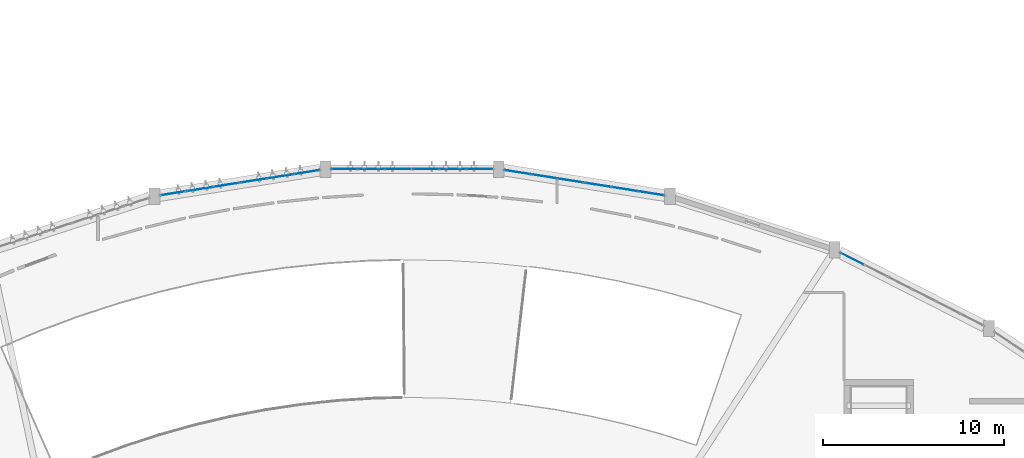
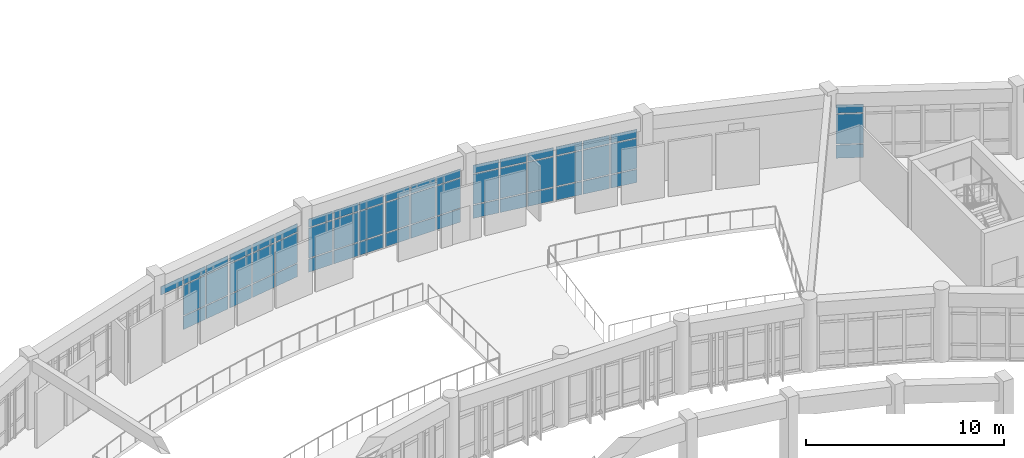
# One storey, part 38 of 57: 55 plates, 7 elements without a shape of their own.
"""IFC4 building model written with IfcOpenShell, lengths in metres."""

import ifcopenshell
import ifcopenshell.guid

model = None  # the IFC model being written
_history = None  # IfcOwnerHistory: only IFC2X3 demands one
_inside = {}  # id of a spatial element -> (the spatial element, [elements in it])
_under = {}  # id of a project, library or spatial element -> (it, [spatial elements below it])
_declared = {}  # id of a project -> (the project, [libraries it declares])
_typed = {}  # id of a type object -> (the type object, [elements of that type])
_made_of = {}  # id of a material, layer set ... -> (it, [elements and type objects made of it])


def new_model(schema):
    """Start an empty IFC model of exactly this schema.

    Asked for "IFC4X3", IfcOpenShell would pick the latest addendum, in which some entities
    have other attributes; the version numbers below select the first issue.
    IFC2X3 requires an IfcOwnerHistory on every rooted entity: one is made here for all.
    """
    global model, _history
    if schema == "IFC4X3":
        model = ifcopenshell.file(schema_version=(4, 3, 0, 0))
    else:
        model = ifcopenshell.file(schema=schema)
    _inside.clear()
    _under.clear()
    _declared.clear()
    _typed.clear()
    _made_of.clear()
    _history = None
    if model.schema == "IFC2X3":
        org = make("IfcOrganization", Name="unknown")
        user = make(
            "IfcPersonAndOrganization",
            ThePerson=make("IfcPerson", FamilyName="unknown"),
            TheOrganization=org,
        )
        app = make(
            "IfcApplication",
            ApplicationDeveloper=org,
            Version="unknown",
            ApplicationFullName="unknown",
            ApplicationIdentifier="unknown",
        )
        _history = make(
            "IfcOwnerHistory",
            OwningUser=user,
            OwningApplication=app,
            ChangeAction="ADDED",
            CreationDate=0,
        )
    return model


def make(cls, **values):
    """One entity of the class cls with the attributes given. An attribute that is None is left unset."""
    return model.create_entity(
        cls, **{name: value for name, value in values.items() if value is not None}
    )


def rooted(cls, **values):
    """An entity with a GlobalId (a new one), such as an element, a storey or a relation."""
    return make(cls, GlobalId=ifcopenshell.guid.new(), OwnerHistory=_history, **values)


def si_unit(unit_type, name, prefix=None):
    """IfcSIUnit, for example si_unit("LENGTHUNIT", "METRE", prefix="MILLI")."""
    return make("IfcSIUnit", UnitType=unit_type, Prefix=prefix, Name=name)


def assignment(units):
    """IfcUnitAssignment: the units of a project."""
    return None if units is None else make("IfcUnitAssignment", Units=units)


def point(xyz):
    """IfcCartesianPoint."""
    return None if xyz is None else make("IfcCartesianPoint", Coordinates=xyz)


def direction(xyz):
    """IfcDirection."""
    return None if xyz is None else make("IfcDirection", DirectionRatios=xyz)


def frame(location, z_axis=None, x_axis=None):
    """IfcAxis2Placement3D, a coordinate frame: its origin and axes. An axis left out is left unset."""
    return make(
        "IfcAxis2Placement3D",
        Location=point(location),
        Axis=direction(z_axis),
        RefDirection=direction(x_axis),
    )


def frame_2d(location, x_axis=None):
    """IfcAxis2Placement2D, a coordinate frame in the plane: its origin and x axis."""
    return make(
        "IfcAxis2Placement2D", Location=point(location), RefDirection=direction(x_axis)
    )


def origin():
    """The frame at (0, 0, 0) with its axes left unset."""
    return frame((0.0, 0.0, 0.0))


def origin_2d():
    """The frame at (0, 0) in the plane with its x axis left unset."""
    return frame_2d((0.0, 0.0))


def place(relative_to, where):
    """IfcLocalPlacement: puts the frame where relative to a parent placement (None: the world)."""
    return make(
        "IfcLocalPlacement", PlacementRelTo=relative_to, RelativePlacement=where
    )


def context(
    kind, dimensions, precision=None, world=None, true_north=None, identifier=None
):
    """IfcGeometricRepresentationContext, for example the 3D "Model" context."""
    return make(
        "IfcGeometricRepresentationContext",
        ContextIdentifier=identifier,
        ContextType=kind,
        CoordinateSpaceDimension=dimensions,
        Precision=precision,
        WorldCoordinateSystem=world,
        TrueNorth=true_north,
    )


def subcontext(parent, identifier, kind, view, scale=None):
    """IfcGeometricRepresentationSubContext, for example "Body" below "Model"."""
    return make(
        "IfcGeometricRepresentationSubContext",
        ContextIdentifier=identifier,
        ContextType=kind,
        ParentContext=parent,
        TargetScale=scale,
        TargetView=view,
    )


def project(units=None, contexts=None):
    """IfcProject with its units and contexts."""
    return rooted(
        "IfcProject",
        Name="project",
        RepresentationContexts=contexts,
        UnitsInContext=assignment(units),
    )


def spatial(cls, under=None, at=None, **own):
    """A site, building, storey or space (cls), placed at a placement, below another one or the project."""
    s = rooted(cls, ObjectPlacement=at, **own)
    if under is not None:
        _under.setdefault(under.id(), (under, []))[1].append(s)
    return s


def profile(cls, at=None, kind="AREA", **sizes):
    """A parametric profile (cls). Its sizes go by their IFC names, for example OverallWidth=200.0."""
    return make(cls, ProfileType=kind, Position=at, **sizes)


def rectangle(**sizes):
    """IfcRectangleProfileDef."""
    return profile("IfcRectangleProfileDef", **sizes)


def extrude(swept, where, along, depth):
    """IfcExtrudedAreaSolid: the profile swept, set in the frame where, extruded along a direction by depth."""
    return make(
        "IfcExtrudedAreaSolid",
        SweptArea=swept,
        Position=where,
        ExtrudedDirection=direction(along),
        Depth=depth,
    )


def shape(context_of_items, identifier, shape_type, items):
    """IfcShapeRepresentation: the items that make up one representation, for example the "Body"."""
    return make(
        "IfcShapeRepresentation",
        ContextOfItems=context_of_items,
        RepresentationIdentifier=identifier,
        RepresentationType=shape_type,
        Items=items,
    )


def material(Name=None, Category=None):
    """IfcMaterial."""
    return make("IfcMaterial", Name=Name, Category=Category)


def layer(
    of_material, thickness, ventilated=None, Name=None, Category=None, Priority=None
):
    """IfcMaterialLayer: one layer of a wall or slab, of a material (None: an air gap)."""
    return make(
        "IfcMaterialLayer",
        Material=of_material,
        LayerThickness=thickness,
        IsVentilated=ventilated,
        Name=Name,
        Category=Category,
        Priority=Priority,
    )


def layer_set(layers, Name=None):
    """IfcMaterialLayerSet."""
    return make("IfcMaterialLayerSet", MaterialLayers=layers, LayerSetName=Name)


def made_of(thing, what):
    """Note that an element or type object is made of a material, layer set ...; save() writes the relation."""
    if what is not None:
        _made_of.setdefault(what.id(), (what, []))[1].append(thing)
    return thing


def type_object(cls, material=None, **own):
    """A type object (cls), such as IfcWallType, which elements share."""
    return made_of(rooted(cls, **own), material)


def element(
    cls,
    number,
    at=None,
    inside=None,
    cuts=None,
    type_object=None,
    material=None,
    context=None,
    identifier="Body",
    shape_type=None,
    held_by="IfcProductDefinitionShape",
    body=None,
    shapes=None,
    **own,
):
    """One element of the class cls, such as IfcWall. Its Tag is "e" and its number.

    at: its placement. inside: the storey or other place that contains it. cuts: it is an
    opening in that element (IfcRelVoidsElement). A single representation is given by context,
    identifier, shape_type and body (its items); several are given by shapes. held_by: the class
    of the entity that holds the representations. save() writes the other relations.
    """
    e = rooted(cls, Tag="e%d" % number, ObjectPlacement=at, **own)
    if body is not None:
        shapes = [shape(context, identifier, shape_type, body)]
    if shapes is not None:
        e.Representation = make(held_by, Representations=shapes)
    if inside is not None:
        _inside.setdefault(inside.id(), (inside, []))[1].append(e)
    if cuts is not None:
        rooted(
            "IfcRelVoidsElement", RelatingBuildingElement=cuts, RelatedOpeningElement=e
        )
    if type_object is not None:
        _typed.setdefault(type_object.id(), (type_object, []))[1].append(e)
    return made_of(e, material)


def aggregate(whole, parts):
    """IfcRelAggregates: a whole, such as a stair, and the parts it consists of."""
    return rooted("IfcRelAggregates", RelatingObject=whole, RelatedObjects=parts)


def save(model, path):
    """Write the relations noted so far, then the file.

    IfcRelAggregates (storeys below a building ...), IfcRelContainedInSpatialStructure (elements
    in a storey), IfcRelDefinesByType, IfcRelAssociatesMaterial and IfcRelDeclares: one each for
    every whole, place, type object, material and project.
    """
    for whole, parts in _under.values():
        aggregate(whole, parts)
    for where, things in _inside.values():
        rooted(
            "IfcRelContainedInSpatialStructure",
            RelatedElements=things,
            RelatingStructure=where,
        )
    for kind, things in _typed.values():
        rooted("IfcRelDefinesByType", RelatedObjects=things, RelatingType=kind)
    for what, things in _made_of.values():
        rooted("IfcRelAssociatesMaterial", RelatedObjects=things, RelatingMaterial=what)
    for by, libraries in _declared.values():
        rooted("IfcRelDeclares", RelatingContext=by, RelatedDefinitions=libraries)
    model.write(path)


model = new_model("IFC4")

# Units and contexts
model_context = context("Model", 3, precision=1e-05, world=origin(), true_north=direction((0.0, 1.0)))
body_context = subcontext(model_context, "Body", "Model", "MODEL_VIEW")
ifc_project = project(units=[si_unit("LENGTHUNIT", "METRE"), si_unit("AREAUNIT", "SQUARE_METRE"), si_unit("VOLUMEUNIT", "CUBIC_METRE"), si_unit("PLANEANGLEUNIT", "RADIAN"), si_unit("MASSUNIT", "GRAM", prefix="KILO")], contexts=[model_context])

# Site, building, storey
site_placement = place(None, origin())
site = spatial("IfcSite", under=ifc_project, at=site_placement, CompositionType="ELEMENT")
building_placement = place(site_placement, origin())
building = spatial("IfcBuilding", under=site, at=building_placement, Name="Miralva Faculty of Natural Sciences", CompositionType="ELEMENT")
storey_placement = place(building_placement, frame((0.0, 0.0, 15.0)))
storey = spatial("IfcBuildingStorey", under=building, at=storey_placement, Name="L03", CompositionType="ELEMENT", Elevation=15.0)

# Curtain wall, plates
ifc_material = material(Name="Laminated solar-control glass", Category="glass")
ifc_layer_1 = layer(ifc_material, 0.179931640625, Name="CW-ARC-L03")
ifc_layer_set_1 = layer_set([ifc_layer_1], Name="Laminated solar-control glass")
curtain_wall_type = type_object("IfcCurtainWallType", Name="CW-ARC-L03", PredefinedType="USERDEFINED", material=ifc_layer_set_1)
curtain_wall_1_placement = place(storey_placement, origin())
curtain_wall_1 = element("IfcCurtainWall", 1, at=curtain_wall_1_placement, inside=storey, type_object=curtain_wall_type, Name="Curtain wall CW-03 L03-131", ObjectType="UNITISED CURTAIN WALL", PredefinedType="USERDEFINED")
ifc_layer_2 = layer(ifc_material, 0.028076171875, Name="PNL-P01")
ifc_layer_set_2 = layer_set([ifc_layer_2], Name="Laminated solar-control glass")
plate_type = type_object("IfcPlateType", Name="PNL-P01", PredefinedType="CURTAIN_PANEL", material=ifc_layer_set_2)
plate_1_placement = place(storey_placement, frame((76.79833984375, 38.47900390625, 2.8349609375), z_axis=(0.0, 0.0, 1.0), x_axis=(0.987688816642, 0.156431459367, 0.0)))
plate_1 = element("IfcPlate", 2, at=plate_1_placement, type_object=plate_type, Name="CW-03 panel 1.3", PredefinedType="CURTAIN_PANEL", context=body_context, shape_type="SweptSolid", body=[
    extrude(rectangle(XDim=1.40283203125, YDim=0.028076171875, at=origin_2d()), origin(), (0.0, 0.0, 1.0), 0.510009765625),
])
plate_2_placement = place(storey_placement, frame((78.26416015625, 38.711181640625, 0.06005859375), z_axis=(0.0, 0.0, 1.0), x_axis=(0.987688816642, 0.156431459367, 0.0)))
plate_2 = element("IfcPlate", 3, at=plate_2_placement, type_object=plate_type, Name="CW-03 panel 2.1", PredefinedType="CURTAIN_PANEL", context=body_context, shape_type="SweptSolid", body=[
    extrude(rectangle(XDim=1.435302734375, YDim=0.028076171875, at=origin_2d()), origin(), (0.0, 0.0, 1.0), 0.81005859375),
])
plate_3_placement = place(storey_placement, frame((78.26416015625, 38.711181640625, 0.93017578125), z_axis=(0.0, 0.0, 1.0), x_axis=(0.987688816642, 0.156431459367, 0.0)))
plate_3 = element("IfcPlate", 4, at=plate_3_placement, type_object=plate_type, Name="CW-03 panel 2.2", PredefinedType="CURTAIN_PANEL", context=body_context, shape_type="SweptSolid", body=[
    extrude(rectangle(XDim=1.435302734375, YDim=0.028076171875, at=origin_2d()), origin(), (0.0, 0.0, 1.0), 1.844970703125),
])
plate_4_placement = place(storey_placement, frame((78.26416015625, 38.711181640625, 2.8349609375), z_axis=(0.0, 0.0, 1.0), x_axis=(0.987688816642, 0.156431459367, 0.0)))
plate_4 = element("IfcPlate", 5, at=plate_4_placement, type_object=plate_type, Name="CW-03 panel 2.3", PredefinedType="CURTAIN_PANEL", context=body_context, shape_type="SweptSolid", body=[
    extrude(rectangle(XDim=1.435302734375, YDim=0.028076171875, at=origin_2d()), origin(), (0.0, 0.0, 1.0), 0.510009765625),
])
plate_5_placement = place(storey_placement, frame((79.72998046875, 38.943359375, 0.06005859375), z_axis=(0.0, 0.0, 1.0), x_axis=(0.987688816642, 0.156431459367, 0.0)))
plate_5 = element("IfcPlate", 6, at=plate_5_placement, type_object=plate_type, Name="CW-03 panel 3.1", PredefinedType="CURTAIN_PANEL", context=body_context, shape_type="SweptSolid", body=[
    extrude(rectangle(XDim=1.40283203125, YDim=0.028076171875, at=origin_2d()), origin(), (0.0, 0.0, 1.0), 0.81005859375),
])
plate_6_placement = place(storey_placement, frame((79.72998046875, 38.943359375, 0.93017578125), z_axis=(0.0, 0.0, 1.0), x_axis=(0.987688816642, 0.156431459367, 0.0)))
plate_6 = element("IfcPlate", 7, at=plate_6_placement, type_object=plate_type, Name="CW-03 panel 3.2", PredefinedType="CURTAIN_PANEL", context=body_context, shape_type="SweptSolid", body=[
    extrude(rectangle(XDim=1.40283203125, YDim=0.028076171875, at=origin_2d()), origin(), (0.0, 0.0, 1.0), 1.844970703125),
])
plate_7_placement = place(storey_placement, frame((79.72998046875, 38.943359375, 2.8349609375), z_axis=(0.0, 0.0, 1.0), x_axis=(0.987688816642, 0.156431459367, 0.0)))
plate_7 = element("IfcPlate", 8, at=plate_7_placement, type_object=plate_type, Name="CW-03 panel 3.3", PredefinedType="CURTAIN_PANEL", context=body_context, shape_type="SweptSolid", body=[
    extrude(rectangle(XDim=1.40283203125, YDim=0.028076171875, at=origin_2d()), origin(), (0.0, 0.0, 1.0), 0.510009765625),
])
aggregate(curtain_wall_1, [plate_1, plate_2, plate_3, plate_4, plate_5, plate_6, plate_7])

curtain_wall_2_placement = place(storey_placement, origin())
curtain_wall_2 = element("IfcCurtainWall", 9, at=curtain_wall_2_placement, inside=storey, type_object=curtain_wall_type, Name="Curtain wall CW-03 L03-132", ObjectType="UNITISED CURTAIN WALL", PredefinedType="USERDEFINED")
plate_8_placement = place(storey_placement, frame((81.23974609375, 39.1826171875, 0.06005859375), z_axis=(0.0, 0.0, 1.0), x_axis=(0.987691424827, 0.156414990722, 0.0)))
plate_8 = element("IfcPlate", 10, at=plate_8_placement, type_object=plate_type, Name="CW-03 panel 1.1", PredefinedType="CURTAIN_PANEL", context=body_context, shape_type="SweptSolid", body=[
    extrude(rectangle(XDim=1.404541015625, YDim=0.028076171875, at=origin_2d()), origin(), (0.0, 0.0, 1.0), 0.81005859375),
])
plate_9_placement = place(storey_placement, frame((81.23974609375, 39.1826171875, 0.93017578125), z_axis=(0.0, 0.0, 1.0), x_axis=(0.987691424827, 0.156414990722, 0.0)))
plate_9 = element("IfcPlate", 11, at=plate_9_placement, type_object=plate_type, Name="CW-03 panel 1.2", PredefinedType="CURTAIN_PANEL", context=body_context, shape_type="SweptSolid", body=[
    extrude(rectangle(XDim=1.404541015625, YDim=0.028076171875, at=origin_2d()), origin(), (0.0, 0.0, 1.0), 1.844970703125),
])
plate_10_placement = place(storey_placement, frame((81.23974609375, 39.1826171875, 2.8349609375), z_axis=(0.0, 0.0, 1.0), x_axis=(0.987691424827, 0.156414990722, 0.0)))
plate_10 = element("IfcPlate", 12, at=plate_10_placement, type_object=plate_type, Name="CW-03 panel 1.3", PredefinedType="CURTAIN_PANEL", context=body_context, shape_type="SweptSolid", body=[
    extrude(rectangle(XDim=1.404541015625, YDim=0.028076171875, at=origin_2d()), origin(), (0.0, 0.0, 1.0), 0.510009765625),
])
plate_11_placement = place(storey_placement, frame((82.707275390625, 39.414794921875, 0.06005859375), z_axis=(0.0, 0.0, 1.0), x_axis=(0.987691424827, 0.156414990722, 0.0)))
plate_11 = element("IfcPlate", 13, at=plate_11_placement, type_object=plate_type, Name="CW-03 panel 2.1", PredefinedType="CURTAIN_PANEL", context=body_context, shape_type="SweptSolid", body=[
    extrude(rectangle(XDim=1.43701171875, YDim=0.028076171875, at=origin_2d()), origin(), (0.0, 0.0, 1.0), 0.81005859375),
])
plate_12_placement = place(storey_placement, frame((82.707275390625, 39.414794921875, 0.93017578125), z_axis=(0.0, 0.0, 1.0), x_axis=(0.987691424827, 0.156414990722, 0.0)))
plate_12 = element("IfcPlate", 14, at=plate_12_placement, type_object=plate_type, Name="CW-03 panel 2.2", PredefinedType="CURTAIN_PANEL", context=body_context, shape_type="SweptSolid", body=[
    extrude(rectangle(XDim=1.43701171875, YDim=0.028076171875, at=origin_2d()), origin(), (0.0, 0.0, 1.0), 1.844970703125),
])
plate_13_placement = place(storey_placement, frame((82.707275390625, 39.414794921875, 2.8349609375), z_axis=(0.0, 0.0, 1.0), x_axis=(0.987691424827, 0.156414990722, 0.0)))
plate_13 = element("IfcPlate", 15, at=plate_13_placement, type_object=plate_type, Name="CW-03 panel 2.3", PredefinedType="CURTAIN_PANEL", context=body_context, shape_type="SweptSolid", body=[
    extrude(rectangle(XDim=1.43701171875, YDim=0.028076171875, at=origin_2d()), origin(), (0.0, 0.0, 1.0), 0.510009765625),
])
plate_14_placement = place(storey_placement, frame((84.1748046875, 39.647216796875, 0.06005859375), z_axis=(0.0, 0.0, 1.0), x_axis=(0.987691424827, 0.156414990722, 0.0)))
plate_14 = element("IfcPlate", 16, at=plate_14_placement, type_object=plate_type, Name="CW-03 panel 3.1", PredefinedType="CURTAIN_PANEL", context=body_context, shape_type="SweptSolid", body=[
    extrude(rectangle(XDim=1.404541015625, YDim=0.028076171875, at=origin_2d()), origin(), (0.0, 0.0, 1.0), 0.81005859375),
])
plate_15_placement = place(storey_placement, frame((84.1748046875, 39.647216796875, 0.93017578125), z_axis=(0.0, 0.0, 1.0), x_axis=(0.987691424827, 0.156414990722, 0.0)))
plate_15 = element("IfcPlate", 17, at=plate_15_placement, type_object=plate_type, Name="CW-03 panel 3.2", PredefinedType="CURTAIN_PANEL", context=body_context, shape_type="SweptSolid", body=[
    extrude(rectangle(XDim=1.404541015625, YDim=0.028076171875, at=origin_2d()), origin(), (0.0, 0.0, 1.0), 1.844970703125),
])
plate_16_placement = place(storey_placement, frame((84.1748046875, 39.647216796875, 2.8349609375), z_axis=(0.0, 0.0, 1.0), x_axis=(0.987691424827, 0.156414990722, 0.0)))
plate_16 = element("IfcPlate", 18, at=plate_16_placement, type_object=plate_type, Name="CW-03 panel 3.3", PredefinedType="CURTAIN_PANEL", context=body_context, shape_type="SweptSolid", body=[
    extrude(rectangle(XDim=1.404541015625, YDim=0.028076171875, at=origin_2d()), origin(), (0.0, 0.0, 1.0), 0.510009765625),
])
aggregate(curtain_wall_2, [plate_8, plate_9, plate_10, plate_11, plate_12, plate_13, plate_14, plate_15, plate_16])

curtain_wall_3_placement = place(storey_placement, origin())
curtain_wall_3 = element("IfcCurtainWall", 19, at=curtain_wall_3_placement, inside=storey, type_object=curtain_wall_type, Name="Curtain wall CW-03 L03-133", ObjectType="UNITISED CURTAIN WALL", PredefinedType="USERDEFINED")
plate_17_placement = place(storey_placement, frame((86.265380859375, 39.81201171875, 0.06005859375), z_axis=(0.0, 0.0, 1.0), x_axis=(1.0, 0.0, 0.0)))
plate_17 = element("IfcPlate", 20, at=plate_17_placement, type_object=plate_type, Name="CW-03 panel 1.1", PredefinedType="CURTAIN_PANEL", context=body_context, shape_type="SweptSolid", body=[
    extrude(rectangle(XDim=1.40283203125, YDim=0.028076171875, at=origin_2d()), origin(), (0.0, 0.0, 1.0), 0.81005859375),
])
plate_18_placement = place(storey_placement, frame((86.265380859375, 39.81201171875, 0.929931640625), z_axis=(0.0, 0.0, 1.0), x_axis=(1.0, 0.0, 0.0)))
plate_18 = element("IfcPlate", 21, at=plate_18_placement, type_object=plate_type, Name="CW-03 panel 1.2", PredefinedType="CURTAIN_PANEL", context=body_context, shape_type="SweptSolid", body=[
    extrude(rectangle(XDim=1.40283203125, YDim=0.028076171875, at=origin_2d()), origin(), (0.0, 0.0, 1.0), 1.8349609375),
])
plate_19_placement = place(storey_placement, frame((86.265380859375, 39.81201171875, 2.8251953125), z_axis=(0.0, 0.0, 1.0), x_axis=(1.0, 0.0, 0.0)))
plate_19 = element("IfcPlate", 22, at=plate_19_placement, type_object=plate_type, Name="CW-03 panel 1.3", PredefinedType="CURTAIN_PANEL", context=body_context, shape_type="SweptSolid", body=[
    extrude(rectangle(XDim=1.40283203125, YDim=0.028076171875, at=origin_2d()), origin(), (0.0, 0.0, 1.0), 0.510009765625),
])
plate_20_placement = place(storey_placement, frame((87.74951171875, 39.81201171875, 0.06005859375), z_axis=(0.0, 0.0, 1.0), x_axis=(1.0, 0.0, 0.0)))
plate_20 = element("IfcPlate", 23, at=plate_20_placement, type_object=plate_type, Name="CW-03 panel 2.1", PredefinedType="CURTAIN_PANEL", context=body_context, shape_type="SweptSolid", body=[
    extrude(rectangle(XDim=1.435302734375, YDim=0.028076171875, at=origin_2d()), origin(), (0.0, 0.0, 1.0), 0.81005859375),
])
plate_21_placement = place(storey_placement, frame((87.74951171875, 39.81201171875, 0.929931640625), z_axis=(0.0, 0.0, 1.0), x_axis=(1.0, 0.0, 0.0)))
plate_21 = element("IfcPlate", 24, at=plate_21_placement, type_object=plate_type, Name="CW-03 panel 2.2", PredefinedType="CURTAIN_PANEL", context=body_context, shape_type="SweptSolid", body=[
    extrude(rectangle(XDim=1.435302734375, YDim=0.028076171875, at=origin_2d()), origin(), (0.0, 0.0, 1.0), 1.8349609375),
])
plate_22_placement = place(storey_placement, frame((87.74951171875, 39.81201171875, 2.8251953125), z_axis=(0.0, 0.0, 1.0), x_axis=(1.0, 0.0, 0.0)))
plate_22 = element("IfcPlate", 25, at=plate_22_placement, type_object=plate_type, Name="CW-03 panel 2.3", PredefinedType="CURTAIN_PANEL", context=body_context, shape_type="SweptSolid", body=[
    extrude(rectangle(XDim=1.435302734375, YDim=0.028076171875, at=origin_2d()), origin(), (0.0, 0.0, 1.0), 0.510009765625),
])
plate_23_placement = place(storey_placement, frame((89.233642578125, 39.81201171875, 0.06005859375), z_axis=(0.0, 0.0, 1.0), x_axis=(1.0, 0.0, 0.0)))
plate_23 = element("IfcPlate", 26, at=plate_23_placement, type_object=plate_type, Name="CW-03 panel 3.1", PredefinedType="CURTAIN_PANEL", context=body_context, shape_type="SweptSolid", body=[
    extrude(rectangle(XDim=1.40283203125, YDim=0.028076171875, at=origin_2d()), origin(), (0.0, 0.0, 1.0), 0.81005859375),
])
plate_24_placement = place(storey_placement, frame((89.233642578125, 39.81201171875, 0.929931640625), z_axis=(0.0, 0.0, 1.0), x_axis=(1.0, 0.0, 0.0)))
plate_24 = element("IfcPlate", 27, at=plate_24_placement, type_object=plate_type, Name="CW-03 panel 3.2", PredefinedType="CURTAIN_PANEL", context=body_context, shape_type="SweptSolid", body=[
    extrude(rectangle(XDim=1.40283203125, YDim=0.028076171875, at=origin_2d()), origin(), (0.0, 0.0, 1.0), 1.8349609375),
])
plate_25_placement = place(storey_placement, frame((89.233642578125, 39.81201171875, 2.8251953125), z_axis=(0.0, 0.0, 1.0), x_axis=(1.0, 0.0, 0.0)))
plate_25 = element("IfcPlate", 28, at=plate_25_placement, type_object=plate_type, Name="CW-03 panel 3.3", PredefinedType="CURTAIN_PANEL", context=body_context, shape_type="SweptSolid", body=[
    extrude(rectangle(XDim=1.40283203125, YDim=0.028076171875, at=origin_2d()), origin(), (0.0, 0.0, 1.0), 0.510009765625),
])
aggregate(curtain_wall_3, [plate_17, plate_18, plate_19, plate_20, plate_21, plate_22, plate_23, plate_24, plate_25])

curtain_wall_4_placement = place(storey_placement, origin())
curtain_wall_4 = element("IfcCurtainWall", 29, at=curtain_wall_4_placement, inside=storey, type_object=curtain_wall_type, Name="Curtain wall CW-03 L03-134", ObjectType="UNITISED CURTAIN WALL", PredefinedType="USERDEFINED")
plate_26_placement = place(storey_placement, frame((90.76220703125, 39.81201171875, 0.06005859375), z_axis=(0.0, 0.0, 1.0), x_axis=(1.0, 0.0, 0.0)))
plate_26 = element("IfcPlate", 30, at=plate_26_placement, type_object=plate_type, Name="CW-03 panel 1.1", PredefinedType="CURTAIN_PANEL", context=body_context, shape_type="SweptSolid", body=[
    extrude(rectangle(XDim=1.404541015625, YDim=0.028076171875, at=origin_2d()), origin(), (0.0, 0.0, 1.0), 0.81005859375),
])
plate_27_placement = place(storey_placement, frame((90.76220703125, 39.81201171875, 0.929931640625), z_axis=(0.0, 0.0, 1.0), x_axis=(1.0, 0.0, 0.0)))
plate_27 = element("IfcPlate", 31, at=plate_27_placement, type_object=plate_type, Name="CW-03 panel 1.2", PredefinedType="CURTAIN_PANEL", context=body_context, shape_type="SweptSolid", body=[
    extrude(rectangle(XDim=1.404541015625, YDim=0.028076171875, at=origin_2d()), origin(), (0.0, 0.0, 1.0), 1.8349609375),
])
plate_28_placement = place(storey_placement, frame((90.76220703125, 39.81201171875, 2.8251953125), z_axis=(0.0, 0.0, 1.0), x_axis=(1.0, 0.0, 0.0)))
plate_28 = element("IfcPlate", 32, at=plate_28_placement, type_object=plate_type, Name="CW-03 panel 1.3", PredefinedType="CURTAIN_PANEL", context=body_context, shape_type="SweptSolid", body=[
    extrude(rectangle(XDim=1.404541015625, YDim=0.028076171875, at=origin_2d()), origin(), (0.0, 0.0, 1.0), 0.510009765625),
])
plate_29_placement = place(storey_placement, frame((92.248046875, 39.81201171875, 0.06005859375), z_axis=(0.0, 0.0, 1.0), x_axis=(1.0, 0.0, 0.0)))
plate_29 = element("IfcPlate", 33, at=plate_29_placement, type_object=plate_type, Name="CW-03 panel 2.1", PredefinedType="CURTAIN_PANEL", context=body_context, shape_type="SweptSolid", body=[
    extrude(rectangle(XDim=1.43701171875, YDim=0.028076171875, at=origin_2d()), origin(), (0.0, 0.0, 1.0), 0.81005859375),
])
plate_30_placement = place(storey_placement, frame((92.248046875, 39.81201171875, 0.929931640625), z_axis=(0.0, 0.0, 1.0), x_axis=(1.0, 0.0, 0.0)))
plate_30 = element("IfcPlate", 34, at=plate_30_placement, type_object=plate_type, Name="CW-03 panel 2.2", PredefinedType="CURTAIN_PANEL", context=body_context, shape_type="SweptSolid", body=[
    extrude(rectangle(XDim=1.43701171875, YDim=0.028076171875, at=origin_2d()), origin(), (0.0, 0.0, 1.0), 1.8349609375),
])
plate_31_placement = place(storey_placement, frame((92.248046875, 39.81201171875, 2.8251953125), z_axis=(0.0, 0.0, 1.0), x_axis=(1.0, 0.0, 0.0)))
plate_31 = element("IfcPlate", 35, at=plate_31_placement, type_object=plate_type, Name="CW-03 panel 2.3", PredefinedType="CURTAIN_PANEL", context=body_context, shape_type="SweptSolid", body=[
    extrude(rectangle(XDim=1.43701171875, YDim=0.028076171875, at=origin_2d()), origin(), (0.0, 0.0, 1.0), 0.510009765625),
])
plate_32_placement = place(storey_placement, frame((93.733642578125, 39.81201171875, 0.06005859375), z_axis=(0.0, 0.0, 1.0), x_axis=(1.0, 0.0, 0.0)))
plate_32 = element("IfcPlate", 36, at=plate_32_placement, type_object=plate_type, Name="CW-03 panel 3.1", PredefinedType="CURTAIN_PANEL", context=body_context, shape_type="SweptSolid", body=[
    extrude(rectangle(XDim=1.404541015625, YDim=0.028076171875, at=origin_2d()), origin(), (0.0, 0.0, 1.0), 0.81005859375),
])
plate_33_placement = place(storey_placement, frame((93.733642578125, 39.81201171875, 0.929931640625), z_axis=(0.0, 0.0, 1.0), x_axis=(1.0, 0.0, 0.0)))
plate_33 = element("IfcPlate", 37, at=plate_33_placement, type_object=plate_type, Name="CW-03 panel 3.2", PredefinedType="CURTAIN_PANEL", context=body_context, shape_type="SweptSolid", body=[
    extrude(rectangle(XDim=1.404541015625, YDim=0.028076171875, at=origin_2d()), origin(), (0.0, 0.0, 1.0), 1.8349609375),
])
plate_34_placement = place(storey_placement, frame((93.733642578125, 39.81201171875, 2.8251953125), z_axis=(0.0, 0.0, 1.0), x_axis=(1.0, 0.0, 0.0)))
plate_34 = element("IfcPlate", 38, at=plate_34_placement, type_object=plate_type, Name="CW-03 panel 3.3", PredefinedType="CURTAIN_PANEL", context=body_context, shape_type="SweptSolid", body=[
    extrude(rectangle(XDim=1.404541015625, YDim=0.028076171875, at=origin_2d()), origin(), (0.0, 0.0, 1.0), 0.510009765625),
])
aggregate(curtain_wall_4, [plate_26, plate_27, plate_28, plate_29, plate_30, plate_31, plate_32, plate_33, plate_34])

curtain_wall_5_placement = place(storey_placement, origin())
curtain_wall_5 = element("IfcCurtainWall", 39, at=curtain_wall_5_placement, inside=storey, type_object=curtain_wall_type, Name="Curtain wall CW-03 L03-135", ObjectType="UNITISED CURTAIN WALL", PredefinedType="USERDEFINED")
plate_35_placement = place(storey_placement, frame((95.824462890625, 39.6474609375, 0.06005859375), z_axis=(0.0, 0.0, 1.0), x_axis=(0.987692249099, -0.15640978572, 0.0)))
plate_35 = element("IfcPlate", 40, at=plate_35_placement, type_object=plate_type, Name="CW-03 panel 1.1", PredefinedType="CURTAIN_PANEL", context=body_context, shape_type="SweptSolid", body=[
    extrude(rectangle(XDim=1.40283203125, YDim=0.028076171875, at=origin_2d()), origin(), (0.0, 0.0, 1.0), 0.81005859375),
])
plate_36_placement = place(storey_placement, frame((95.824462890625, 39.6474609375, 0.93017578125), z_axis=(0.0, 0.0, 1.0), x_axis=(0.987692249099, -0.15640978572, 0.0)))
plate_36 = element("IfcPlate", 41, at=plate_36_placement, type_object=plate_type, Name="CW-03 panel 1.2", PredefinedType="CURTAIN_PANEL", context=body_context, shape_type="SweptSolid", body=[
    extrude(rectangle(XDim=1.40283203125, YDim=0.028076171875, at=origin_2d()), origin(), (0.0, 0.0, 1.0), 1.844970703125),
])
plate_37_placement = place(storey_placement, frame((95.824462890625, 39.6474609375, 2.8349609375), z_axis=(0.0, 0.0, 1.0), x_axis=(0.987692249099, -0.15640978572, 0.0)))
plate_37 = element("IfcPlate", 42, at=plate_37_placement, type_object=plate_type, Name="CW-03 panel 1.3", PredefinedType="CURTAIN_PANEL", context=body_context, shape_type="SweptSolid", body=[
    extrude(rectangle(XDim=1.40283203125, YDim=0.028076171875, at=origin_2d()), origin(), (0.0, 0.0, 1.0), 0.510009765625),
])
plate_38_placement = place(storey_placement, frame((97.290283203125, 39.415283203125, 0.06005859375), z_axis=(0.0, 0.0, 1.0), x_axis=(0.987692249099, -0.15640978572, 0.0)))
plate_38 = element("IfcPlate", 43, at=plate_38_placement, type_object=plate_type, Name="CW-03 panel 2.1", PredefinedType="CURTAIN_PANEL", context=body_context, shape_type="SweptSolid", body=[
    extrude(rectangle(XDim=1.435302734375, YDim=0.028076171875, at=origin_2d()), origin(), (0.0, 0.0, 1.0), 0.81005859375),
])
plate_39_placement = place(storey_placement, frame((97.290283203125, 39.415283203125, 0.93017578125), z_axis=(0.0, 0.0, 1.0), x_axis=(0.987692249099, -0.15640978572, 0.0)))
plate_39 = element("IfcPlate", 44, at=plate_39_placement, type_object=plate_type, Name="CW-03 panel 2.2", PredefinedType="CURTAIN_PANEL", context=body_context, shape_type="SweptSolid", body=[
    extrude(rectangle(XDim=1.435302734375, YDim=0.028076171875, at=origin_2d()), origin(), (0.0, 0.0, 1.0), 1.844970703125),
])
plate_40_placement = place(storey_placement, frame((97.290283203125, 39.415283203125, 2.8349609375), z_axis=(0.0, 0.0, 1.0), x_axis=(0.987692249099, -0.15640978572, 0.0)))
plate_40 = element("IfcPlate", 45, at=plate_40_placement, type_object=plate_type, Name="CW-03 panel 2.3", PredefinedType="CURTAIN_PANEL", context=body_context, shape_type="SweptSolid", body=[
    extrude(rectangle(XDim=1.435302734375, YDim=0.028076171875, at=origin_2d()), origin(), (0.0, 0.0, 1.0), 0.510009765625),
])
plate_41_placement = place(storey_placement, frame((98.756103515625, 39.18310546875, 0.06005859375), z_axis=(0.0, 0.0, 1.0), x_axis=(0.987692249099, -0.15640978572, 0.0)))
plate_41 = element("IfcPlate", 46, at=plate_41_placement, type_object=plate_type, Name="CW-03 panel 3.1", PredefinedType="CURTAIN_PANEL", context=body_context, shape_type="SweptSolid", body=[
    extrude(rectangle(XDim=1.40283203125, YDim=0.028076171875, at=origin_2d()), origin(), (0.0, 0.0, 1.0), 0.81005859375),
])
plate_42_placement = place(storey_placement, frame((98.756103515625, 39.18310546875, 0.93017578125), z_axis=(0.0, 0.0, 1.0), x_axis=(0.987692249099, -0.15640978572, 0.0)))
plate_42 = element("IfcPlate", 47, at=plate_42_placement, type_object=plate_type, Name="CW-03 panel 3.2", PredefinedType="CURTAIN_PANEL", context=body_context, shape_type="SweptSolid", body=[
    extrude(rectangle(XDim=1.40283203125, YDim=0.028076171875, at=origin_2d()), origin(), (0.0, 0.0, 1.0), 1.844970703125),
])
plate_43_placement = place(storey_placement, frame((98.756103515625, 39.18310546875, 2.8349609375), z_axis=(0.0, 0.0, 1.0), x_axis=(0.987692249099, -0.15640978572, 0.0)))
plate_43 = element("IfcPlate", 48, at=plate_43_placement, type_object=plate_type, Name="CW-03 panel 3.3", PredefinedType="CURTAIN_PANEL", context=body_context, shape_type="SweptSolid", body=[
    extrude(rectangle(XDim=1.40283203125, YDim=0.028076171875, at=origin_2d()), origin(), (0.0, 0.0, 1.0), 0.510009765625),
])
aggregate(curtain_wall_5, [plate_35, plate_36, plate_37, plate_38, plate_39, plate_40, plate_41, plate_42, plate_43])

curtain_wall_6_placement = place(storey_placement, origin())
curtain_wall_6 = element("IfcCurtainWall", 49, at=curtain_wall_6_placement, inside=storey, type_object=curtain_wall_type, Name="Curtain wall CW-03 L03-136", ObjectType="UNITISED CURTAIN WALL", PredefinedType="USERDEFINED")
plate_44_placement = place(storey_placement, frame((100.26611328125, 38.944091796875, 0.06005859375), z_axis=(0.0, 0.0, 1.0), x_axis=(0.987687996038, -0.156436640476, 0.0)))
plate_44 = element("IfcPlate", 50, at=plate_44_placement, type_object=plate_type, Name="CW-03 panel 1.1", PredefinedType="CURTAIN_PANEL", context=body_context, shape_type="SweptSolid", body=[
    extrude(rectangle(XDim=1.404541015625, YDim=0.028076171875, at=origin_2d()), origin(), (0.0, 0.0, 1.0), 0.81005859375),
])
plate_45_placement = place(storey_placement, frame((100.26611328125, 38.944091796875, 0.93017578125), z_axis=(0.0, 0.0, 1.0), x_axis=(0.987687996038, -0.156436640476, 0.0)))
plate_45 = element("IfcPlate", 51, at=plate_45_placement, type_object=plate_type, Name="CW-03 panel 1.2", PredefinedType="CURTAIN_PANEL", context=body_context, shape_type="SweptSolid", body=[
    extrude(rectangle(XDim=1.404541015625, YDim=0.028076171875, at=origin_2d()), origin(), (0.0, 0.0, 1.0), 1.844970703125),
])
plate_46_placement = place(storey_placement, frame((100.26611328125, 38.944091796875, 2.8349609375), z_axis=(0.0, 0.0, 1.0), x_axis=(0.987687996038, -0.156436640476, 0.0)))
plate_46 = element("IfcPlate", 52, at=plate_46_placement, type_object=plate_type, Name="CW-03 panel 1.3", PredefinedType="CURTAIN_PANEL", context=body_context, shape_type="SweptSolid", body=[
    extrude(rectangle(XDim=1.404541015625, YDim=0.028076171875, at=origin_2d()), origin(), (0.0, 0.0, 1.0), 0.510009765625),
])
plate_47_placement = place(storey_placement, frame((101.7333984375, 38.711669921875, 0.06005859375), z_axis=(0.0, 0.0, 1.0), x_axis=(0.987687996038, -0.156436640476, 0.0)))
plate_47 = element("IfcPlate", 53, at=plate_47_placement, type_object=plate_type, Name="CW-03 panel 2.1", PredefinedType="CURTAIN_PANEL", context=body_context, shape_type="SweptSolid", body=[
    extrude(rectangle(XDim=1.43701171875, YDim=0.028076171875, at=origin_2d()), origin(), (0.0, 0.0, 1.0), 0.81005859375),
])
plate_48_placement = place(storey_placement, frame((101.7333984375, 38.711669921875, 0.93017578125), z_axis=(0.0, 0.0, 1.0), x_axis=(0.987687996038, -0.156436640476, 0.0)))
plate_48 = element("IfcPlate", 54, at=plate_48_placement, type_object=plate_type, Name="CW-03 panel 2.2", PredefinedType="CURTAIN_PANEL", context=body_context, shape_type="SweptSolid", body=[
    extrude(rectangle(XDim=1.43701171875, YDim=0.028076171875, at=origin_2d()), origin(), (0.0, 0.0, 1.0), 1.844970703125),
])
plate_49_placement = place(storey_placement, frame((101.7333984375, 38.711669921875, 2.8349609375), z_axis=(0.0, 0.0, 1.0), x_axis=(0.987687996038, -0.156436640476, 0.0)))
plate_49 = element("IfcPlate", 55, at=plate_49_placement, type_object=plate_type, Name="CW-03 panel 2.3", PredefinedType="CURTAIN_PANEL", context=body_context, shape_type="SweptSolid", body=[
    extrude(rectangle(XDim=1.43701171875, YDim=0.028076171875, at=origin_2d()), origin(), (0.0, 0.0, 1.0), 0.510009765625),
])
plate_50_placement = place(storey_placement, frame((103.200927734375, 38.479248046875, 0.06005859375), z_axis=(0.0, 0.0, 1.0), x_axis=(0.987687996038, -0.156436640476, 0.0)))
plate_50 = element("IfcPlate", 56, at=plate_50_placement, type_object=plate_type, Name="CW-03 panel 3.1", PredefinedType="CURTAIN_PANEL", context=body_context, shape_type="SweptSolid", body=[
    extrude(rectangle(XDim=1.404541015625, YDim=0.028076171875, at=origin_2d()), origin(), (0.0, 0.0, 1.0), 0.81005859375),
])
plate_51_placement = place(storey_placement, frame((103.200927734375, 38.479248046875, 0.93017578125), z_axis=(0.0, 0.0, 1.0), x_axis=(0.987687996038, -0.156436640476, 0.0)))
plate_51 = element("IfcPlate", 57, at=plate_51_placement, type_object=plate_type, Name="CW-03 panel 3.2", PredefinedType="CURTAIN_PANEL", context=body_context, shape_type="SweptSolid", body=[
    extrude(rectangle(XDim=1.404541015625, YDim=0.028076171875, at=origin_2d()), origin(), (0.0, 0.0, 1.0), 1.844970703125),
])
plate_52_placement = place(storey_placement, frame((103.200927734375, 38.479248046875, 2.8349609375), z_axis=(0.0, 0.0, 1.0), x_axis=(0.987687996038, -0.156436640476, 0.0)))
plate_52 = element("IfcPlate", 58, at=plate_52_placement, type_object=plate_type, Name="CW-03 panel 3.3", PredefinedType="CURTAIN_PANEL", context=body_context, shape_type="SweptSolid", body=[
    extrude(rectangle(XDim=1.404541015625, YDim=0.028076171875, at=origin_2d()), origin(), (0.0, 0.0, 1.0), 0.510009765625),
])
aggregate(curtain_wall_6, [plate_44, plate_45, plate_46, plate_47, plate_48, plate_49, plate_50, plate_51, plate_52])

curtain_wall_7_placement = place(storey_placement, origin())
curtain_wall_7 = element("IfcCurtainWall", 59, at=curtain_wall_7_placement, inside=storey, type_object=curtain_wall_type, Name="Curtain wall CW-03 L03-137", ObjectType="UNITISED CURTAIN WALL", PredefinedType="USERDEFINED")
plate_53_placement = place(storey_placement, frame((114.302734375, 34.867919921875, 0.06005859375), z_axis=(0.0, 0.0, 1.0), x_axis=(0.891015257812, -0.453973358631, 0.0)))
plate_53 = element("IfcPlate", 60, at=plate_53_placement, type_object=plate_type, Name="CW-03 panel 1.1", PredefinedType="CURTAIN_PANEL", context=body_context, shape_type="SweptSolid", body=[
    extrude(rectangle(XDim=1.392822265625, YDim=0.028076171875, at=origin_2d()), origin(), (0.0, 0.0, 1.0), 0.81005859375),
])
plate_54_placement = place(storey_placement, frame((114.302734375, 34.867919921875, 0.93017578125), z_axis=(0.0, 0.0, 1.0), x_axis=(0.891015257812, -0.453973358631, 0.0)))
plate_54 = element("IfcPlate", 61, at=plate_54_placement, type_object=plate_type, Name="CW-03 panel 1.2", PredefinedType="CURTAIN_PANEL", context=body_context, shape_type="SweptSolid", body=[
    extrude(rectangle(XDim=1.392822265625, YDim=0.028076171875, at=origin_2d()), origin(), (0.0, 0.0, 1.0), 1.844970703125),
])
plate_55_placement = place(storey_placement, frame((114.302734375, 34.867919921875, 2.8349609375), z_axis=(0.0, 0.0, 1.0), x_axis=(0.891015257812, -0.453973358631, 0.0)))
plate_55 = element("IfcPlate", 62, at=plate_55_placement, type_object=plate_type, Name="CW-03 panel 1.3", PredefinedType="CURTAIN_PANEL", context=body_context, shape_type="SweptSolid", body=[
    extrude(rectangle(XDim=1.392822265625, YDim=0.028076171875, at=origin_2d()), origin(), (0.0, 0.0, 1.0), 0.510009765625),
])
aggregate(curtain_wall_7, [plate_53, plate_54, plate_55])

save(model, "model.ifc")
